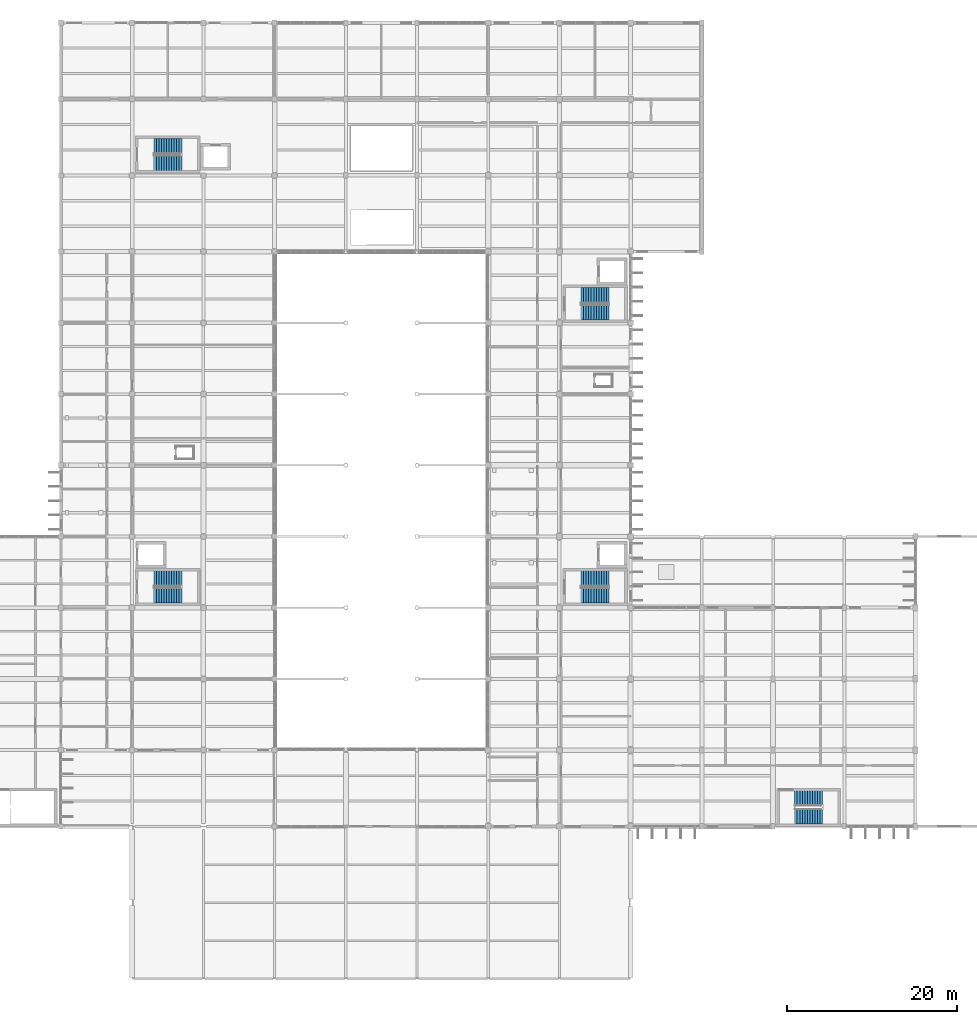
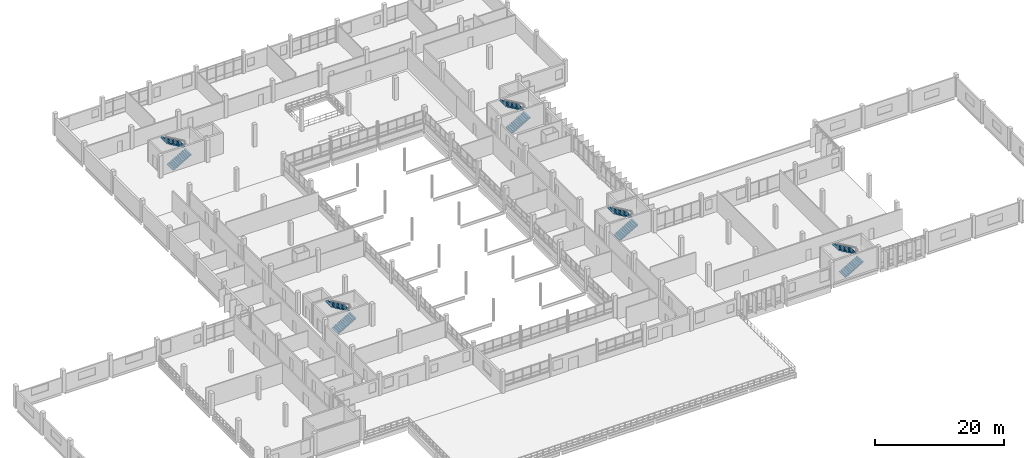
# One storey, part 92 of 101: 10 stair flights, 5 elements without a shape of their own.
"""IFC4 building model written with IfcOpenShell, lengths in metres."""

from ifc_helpers import new_model, si_unit, direction, frame, origin, place, context, subcontext, project, spatial, polyline, outline, extrude, material, type_object, element, aggregate, save


model = new_model("IFC4")

# Units and contexts
model_context = context("Model", 3, precision=1e-05, world=origin(), true_north=direction((0.0, 1.0)))
body_context = subcontext(model_context, "Body", "Model", "MODEL_VIEW")
ifc_project = project(units=[si_unit("LENGTHUNIT", "METRE"), si_unit("AREAUNIT", "SQUARE_METRE"), si_unit("VOLUMEUNIT", "CUBIC_METRE"), si_unit("PLANEANGLEUNIT", "RADIAN"), si_unit("MASSUNIT", "GRAM", prefix="KILO")], contexts=[model_context])

# Site, building, storey
site_placement = place(None, origin())
site = spatial("IfcSite", under=ifc_project, at=site_placement, CompositionType="ELEMENT")
building_placement = place(site_placement, origin())
building = spatial("IfcBuilding", under=site, at=building_placement, Name="Vireocrest Preparatory School", CompositionType="ELEMENT")
storey_placement = place(building_placement, frame((0.0, 0.0, 4.800048828125)))
storey = spatial("IfcBuildingStorey", under=building, at=storey_placement, Name="L01", CompositionType="ELEMENT", Elevation=4.800048828125)

# Stair, stair flights
ifc_material = material(Name="Concrete 40 MPa", Category="concrete")
stair_type = type_object("IfcStairType", Name="Feature Library Stair 4200 Rise 1800 Wide", PredefinedType="HALF_TURN_STAIR", material=ifc_material)
stair_1_placement = place(storey_placement, origin())
stair_1 = element("IfcStair", 1, at=stair_1_placement, inside=storey, type_object=stair_type, Name="Two-Run Stair ST1-L01", PredefinedType="HALF_TURN_STAIR")
stair_flight_type = type_object("IfcStairFlightType", Name="Stair Flight 2100 Rise 1800 Wide", PredefinedType="STRAIGHT", material=ifc_material)
stair_flight_1_placement = place(storey_placement, frame((52.949951171875, 45.2548828125, 0.0), z_axis=(0.0, 0.0, 1.0), x_axis=(1.0, 0.0, 0.0)))
stair_flight_1 = element("IfcStairFlight", 2, at=stair_flight_1_placement, type_object=stair_flight_type, Name="Stair Flight ST1-L01-F1", NumberOfRisers=12, NumberOfTreads=11, PredefinedType="STRAIGHT", RiserHeight=0.175, TreadLength=0.3, context=body_context, shape_type="SweptSolid", body=[
    extrude(outline(polyline([(0.0, 0.0), (0.0, 0.175048828125), (0.300048828125, 0.175048828125), (0.300048828125, 0.35009765625), (0.60009765625, 0.35009765625), (0.60009765625, 0.52490234375), (0.89990234375, 0.52490234375), (0.89990234375, 0.699951171875), (1.199951171875, 0.699951171875), (1.199951171875, 0.875), (1.5, 0.875), (1.5, 1.050048828125), (1.800048828125, 1.050048828125), (1.800048828125, 1.22509765625), (2.10009765625, 1.22509765625), (2.10009765625, 1.39990234375), (2.39990234375, 1.39990234375), (2.39990234375, 1.574951171875), (2.699951171875, 1.574951171875), (2.699951171875, 1.75), (3.0, 1.75), (3.0, 1.925048828125), (3.300048828125, 1.925048828125), (3.300048828125, 2.10009765625), (3.300048828125, 1.739990234375), (0.3173828125, 0.0), (0.0, 0.0)])), frame((0.0, 0.925048828125, 0.0), z_axis=(0.0, -1.0, 0.0), x_axis=(1.0, 0.0, 0.0)), (0.0, 0.0, 1.0), 1.85009765625),
])
stair_flight_2_placement = place(storey_placement, frame((56.25, 47.2451171875, 2.099853515625), z_axis=(0.0, 0.0, 1.0), x_axis=(-1.0, 0.0, 0.0)))
stair_flight_2 = element("IfcStairFlight", 3, at=stair_flight_2_placement, type_object=stair_flight_type, Name="Stair Flight ST1-L01-F2", NumberOfRisers=12, NumberOfTreads=11, PredefinedType="STRAIGHT", RiserHeight=0.175, TreadLength=0.3, context=body_context, shape_type="SweptSolid", body=[
    extrude(outline(polyline([(0.0, 0.0), (0.0, 0.175048828125), (0.300048828125, 0.175048828125), (0.300048828125, 0.35009765625), (0.60009765625, 0.35009765625), (0.60009765625, 0.52490234375), (0.89990234375, 0.52490234375), (0.89990234375, 0.699951171875), (1.199951171875, 0.699951171875), (1.199951171875, 0.875), (1.5, 0.875), (1.5, 1.050048828125), (1.800048828125, 1.050048828125), (1.800048828125, 1.22509765625), (2.10009765625, 1.22509765625), (2.10009765625, 1.39990234375), (2.39990234375, 1.39990234375), (2.39990234375, 1.574951171875), (2.699951171875, 1.574951171875), (2.699951171875, 1.75), (3.0, 1.75), (3.0, 1.925048828125), (3.300048828125, 1.925048828125), (3.300048828125, 2.10009765625), (3.300048828125, 1.739990234375), (0.3173828125, 0.0), (0.0, 0.0)])), frame((0.0, 0.925048828125, 0.0), z_axis=(0.0, -1.0, 0.0), x_axis=(1.0, 0.0, 0.0)), (0.0, 0.0, 1.0), 1.85009765625),
])
aggregate(stair_1, [stair_flight_1, stair_flight_2])

stair_2_placement = place(storey_placement, origin())
stair_2 = element("IfcStair", 4, at=stair_2_placement, inside=storey, type_object=stair_type, Name="Two-Run Stair ST2-L01", PredefinedType="HALF_TURN_STAIR")
stair_flight_3_placement = place(storey_placement, frame((103.35009765625, 45.2548828125, 0.0), z_axis=(0.0, 0.0, 1.0), x_axis=(1.0, 0.0, 0.0)))
stair_flight_3 = element("IfcStairFlight", 5, at=stair_flight_3_placement, type_object=stair_flight_type, Name="Stair Flight ST2-L01-F1", NumberOfRisers=12, NumberOfTreads=11, PredefinedType="STRAIGHT", RiserHeight=0.175, TreadLength=0.3, context=body_context, shape_type="SweptSolid", body=[
    extrude(outline(polyline([(0.0, 0.0), (0.0, 0.175048828125), (0.300048828125, 0.175048828125), (0.300048828125, 0.35009765625), (0.60009765625, 0.35009765625), (0.60009765625, 0.52490234375), (0.89990234375, 0.52490234375), (0.89990234375, 0.699951171875), (1.199951171875, 0.699951171875), (1.199951171875, 0.875), (1.5, 0.875), (1.5, 1.050048828125), (1.800048828125, 1.050048828125), (1.800048828125, 1.22509765625), (2.10009765625, 1.22509765625), (2.10009765625, 1.39990234375), (2.39990234375, 1.39990234375), (2.39990234375, 1.574951171875), (2.699951171875, 1.574951171875), (2.699951171875, 1.75), (3.0, 1.75), (3.0, 1.925048828125), (3.300048828125, 1.925048828125), (3.300048828125, 2.10009765625), (3.300048828125, 1.739990234375), (0.3173828125, 0.0), (0.0, 0.0)])), frame((0.0, 0.925048828125, 0.0), z_axis=(0.0, -1.0, 0.0), x_axis=(1.0, 0.0, 0.0)), (0.0, 0.0, 1.0), 1.85009765625),
])
stair_flight_4_placement = place(storey_placement, frame((106.64990234375, 47.2451171875, 2.099853515625), z_axis=(0.0, 0.0, 1.0), x_axis=(-1.0, 0.0, 0.0)))
stair_flight_4 = element("IfcStairFlight", 6, at=stair_flight_4_placement, type_object=stair_flight_type, Name="Stair Flight ST2-L01-F2", NumberOfRisers=12, NumberOfTreads=11, PredefinedType="STRAIGHT", RiserHeight=0.175, TreadLength=0.3, context=body_context, shape_type="SweptSolid", body=[
    extrude(outline(polyline([(0.0, 0.0), (0.0, 0.175048828125), (0.300048828125, 0.175048828125), (0.300048828125, 0.35009765625), (0.60009765625, 0.35009765625), (0.60009765625, 0.52490234375), (0.89990234375, 0.52490234375), (0.89990234375, 0.699951171875), (1.199951171875, 0.699951171875), (1.199951171875, 0.875), (1.5, 0.875), (1.5, 1.050048828125), (1.800048828125, 1.050048828125), (1.800048828125, 1.22509765625), (2.10009765625, 1.22509765625), (2.10009765625, 1.39990234375), (2.39990234375, 1.39990234375), (2.39990234375, 1.574951171875), (2.699951171875, 1.574951171875), (2.699951171875, 1.75), (3.0, 1.75), (3.0, 1.925048828125), (3.300048828125, 1.925048828125), (3.300048828125, 2.10009765625), (3.300048828125, 1.739990234375), (0.3173828125, 0.0), (0.0, 0.0)])), frame((0.0, 0.925048828125, 0.0), z_axis=(0.0, -1.0, 0.0), x_axis=(1.0, 0.0, 0.0)), (0.0, 0.0, 1.0), 1.85009765625),
])
aggregate(stair_2, [stair_flight_3, stair_flight_4])

stair_3_placement = place(storey_placement, origin())
stair_3 = element("IfcStair", 7, at=stair_3_placement, inside=storey, type_object=stair_type, Name="Two-Run Stair ST3-L01", PredefinedType="HALF_TURN_STAIR")
stair_flight_5_placement = place(storey_placement, frame((52.949951171875, 96.2548828125, 0.0), z_axis=(0.0, 0.0, 1.0), x_axis=(1.0, 0.0, 0.0)))
stair_flight_5 = element("IfcStairFlight", 8, at=stair_flight_5_placement, type_object=stair_flight_type, Name="Stair Flight ST3-L01-F1", NumberOfRisers=12, NumberOfTreads=11, PredefinedType="STRAIGHT", RiserHeight=0.175, TreadLength=0.3, context=body_context, shape_type="SweptSolid", body=[
    extrude(outline(polyline([(0.0, 0.0), (0.0, 0.175048828125), (0.300048828125, 0.175048828125), (0.300048828125, 0.35009765625), (0.60009765625, 0.35009765625), (0.60009765625, 0.52490234375), (0.89990234375, 0.52490234375), (0.89990234375, 0.699951171875), (1.199951171875, 0.699951171875), (1.199951171875, 0.875), (1.5, 0.875), (1.5, 1.050048828125), (1.800048828125, 1.050048828125), (1.800048828125, 1.22509765625), (2.10009765625, 1.22509765625), (2.10009765625, 1.39990234375), (2.39990234375, 1.39990234375), (2.39990234375, 1.574951171875), (2.699951171875, 1.574951171875), (2.699951171875, 1.75), (3.0, 1.75), (3.0, 1.925048828125), (3.300048828125, 1.925048828125), (3.300048828125, 2.10009765625), (3.300048828125, 1.739990234375), (0.3173828125, 0.0), (0.0, 0.0)])), frame((0.0, 0.925048828125, 0.0), z_axis=(0.0, -1.0, 0.0), x_axis=(1.0, 0.0, 0.0)), (0.0, 0.0, 1.0), 1.85009765625),
])
stair_flight_6_placement = place(storey_placement, frame((56.25, 98.2451171875, 2.099853515625), z_axis=(0.0, 0.0, 1.0), x_axis=(-1.0, 0.0, 0.0)))
stair_flight_6 = element("IfcStairFlight", 9, at=stair_flight_6_placement, type_object=stair_flight_type, Name="Stair Flight ST3-L01-F2", NumberOfRisers=12, NumberOfTreads=11, PredefinedType="STRAIGHT", RiserHeight=0.175, TreadLength=0.3, context=body_context, shape_type="SweptSolid", body=[
    extrude(outline(polyline([(0.0, 0.0), (0.0, 0.175048828125), (0.300048828125, 0.175048828125), (0.300048828125, 0.35009765625), (0.60009765625, 0.35009765625), (0.60009765625, 0.52490234375), (0.89990234375, 0.52490234375), (0.89990234375, 0.699951171875), (1.199951171875, 0.699951171875), (1.199951171875, 0.875), (1.5, 0.875), (1.5, 1.050048828125), (1.800048828125, 1.050048828125), (1.800048828125, 1.22509765625), (2.10009765625, 1.22509765625), (2.10009765625, 1.39990234375), (2.39990234375, 1.39990234375), (2.39990234375, 1.574951171875), (2.699951171875, 1.574951171875), (2.699951171875, 1.75), (3.0, 1.75), (3.0, 1.925048828125), (3.300048828125, 1.925048828125), (3.300048828125, 2.10009765625), (3.300048828125, 1.739990234375), (0.3173828125, 0.0), (0.0, 0.0)])), frame((0.0, 0.925048828125, 0.0), z_axis=(0.0, -1.0, 0.0), x_axis=(1.0, 0.0, 0.0)), (0.0, 0.0, 1.0), 1.85009765625),
])
aggregate(stair_3, [stair_flight_5, stair_flight_6])

stair_4_placement = place(storey_placement, origin())
stair_4 = element("IfcStair", 10, at=stair_4_placement, inside=storey, type_object=stair_type, Name="Two-Run Stair ST4-L01", PredefinedType="HALF_TURN_STAIR")
stair_flight_7_placement = place(storey_placement, frame((103.35009765625, 78.655029296875, 0.0), z_axis=(0.0, 0.0, 1.0), x_axis=(1.0, 0.0, 0.0)))
stair_flight_7 = element("IfcStairFlight", 11, at=stair_flight_7_placement, type_object=stair_flight_type, Name="Stair Flight ST4-L01-F1", NumberOfRisers=12, NumberOfTreads=11, PredefinedType="STRAIGHT", RiserHeight=0.175, TreadLength=0.3, context=body_context, shape_type="SweptSolid", body=[
    extrude(outline(polyline([(0.0, 0.0), (0.0, 0.175048828125), (0.300048828125, 0.175048828125), (0.300048828125, 0.35009765625), (0.60009765625, 0.35009765625), (0.60009765625, 0.52490234375), (0.89990234375, 0.52490234375), (0.89990234375, 0.699951171875), (1.199951171875, 0.699951171875), (1.199951171875, 0.875), (1.5, 0.875), (1.5, 1.050048828125), (1.800048828125, 1.050048828125), (1.800048828125, 1.22509765625), (2.10009765625, 1.22509765625), (2.10009765625, 1.39990234375), (2.39990234375, 1.39990234375), (2.39990234375, 1.574951171875), (2.699951171875, 1.574951171875), (2.699951171875, 1.75), (3.0, 1.75), (3.0, 1.925048828125), (3.300048828125, 1.925048828125), (3.300048828125, 2.10009765625), (3.300048828125, 1.739990234375), (0.3173828125, 0.0), (0.0, 0.0)])), frame((0.0, 0.925048828125, 0.0), z_axis=(0.0, -1.0, 0.0), x_axis=(1.0, 0.0, 0.0)), (0.0, 0.0, 1.0), 1.85009765625),
])
stair_flight_8_placement = place(storey_placement, frame((106.64990234375, 80.64501953125, 2.099853515625), z_axis=(0.0, 0.0, 1.0), x_axis=(-1.0, 0.0, 0.0)))
stair_flight_8 = element("IfcStairFlight", 12, at=stair_flight_8_placement, type_object=stair_flight_type, Name="Stair Flight ST4-L01-F2", NumberOfRisers=12, NumberOfTreads=11, PredefinedType="STRAIGHT", RiserHeight=0.175, TreadLength=0.3, context=body_context, shape_type="SweptSolid", body=[
    extrude(outline(polyline([(0.0, 0.0), (0.0, 0.175048828125), (0.300048828125, 0.175048828125), (0.300048828125, 0.35009765625), (0.60009765625, 0.35009765625), (0.60009765625, 0.52490234375), (0.89990234375, 0.52490234375), (0.89990234375, 0.699951171875), (1.199951171875, 0.699951171875), (1.199951171875, 0.875), (1.5, 0.875), (1.5, 1.050048828125), (1.800048828125, 1.050048828125), (1.800048828125, 1.22509765625), (2.10009765625, 1.22509765625), (2.10009765625, 1.39990234375), (2.39990234375, 1.39990234375), (2.39990234375, 1.574951171875), (2.699951171875, 1.574951171875), (2.699951171875, 1.75), (3.0, 1.75), (3.0, 1.925048828125), (3.300048828125, 1.925048828125), (3.300048828125, 2.10009765625), (3.300048828125, 1.739990234375), (0.3173828125, 0.0), (0.0, 0.0)])), frame((0.0, 0.925048828125, 0.0), z_axis=(0.0, -1.0, 0.0), x_axis=(1.0, 0.0, 0.0)), (0.0, 0.0, 1.0), 1.85009765625),
])
aggregate(stair_4, [stair_flight_7, stair_flight_8])

stair_5_placement = place(storey_placement, origin())
stair_5 = element("IfcStair", 13, at=stair_5_placement, inside=storey, type_object=stair_type, Name="Two-Run Stair ST6-L01", PredefinedType="HALF_TURN_STAIR")
stair_flight_9_placement = place(storey_placement, frame((128.550048828125, 19.179931640625, 0.0), z_axis=(0.0, 0.0, 1.0), x_axis=(1.0, 0.0, 0.0)))
stair_flight_9 = element("IfcStairFlight", 14, at=stair_flight_9_placement, type_object=stair_flight_type, Name="Stair Flight ST6-L01-F1", NumberOfRisers=12, NumberOfTreads=11, PredefinedType="STRAIGHT", RiserHeight=0.175, TreadLength=0.3, context=body_context, shape_type="SweptSolid", body=[
    extrude(outline(polyline([(0.0, 0.0), (0.0, 0.175048828125), (0.300048828125, 0.175048828125), (0.300048828125, 0.35009765625), (0.60009765625, 0.35009765625), (0.60009765625, 0.52490234375), (0.89990234375, 0.52490234375), (0.89990234375, 0.699951171875), (1.199951171875, 0.699951171875), (1.199951171875, 0.875), (1.5, 0.875), (1.5, 1.050048828125), (1.800048828125, 1.050048828125), (1.800048828125, 1.22509765625), (2.10009765625, 1.22509765625), (2.10009765625, 1.39990234375), (2.39990234375, 1.39990234375), (2.39990234375, 1.574951171875), (2.699951171875, 1.574951171875), (2.699951171875, 1.75), (3.0, 1.75), (3.0, 1.925048828125), (3.300048828125, 1.925048828125), (3.300048828125, 2.10009765625), (3.300048828125, 1.739990234375), (0.3173828125, 0.0), (0.0, 0.0)])), frame((0.0, 0.89990234375, 0.0), z_axis=(0.0, -1.0, 0.0), x_axis=(1.0, 0.0, 0.0)), (0.0, 0.0, 1.0), 1.800048828125),
])
stair_flight_10_placement = place(storey_placement, frame((131.85009765625, 21.320068359375, 2.099853515625), z_axis=(0.0, 0.0, 1.0), x_axis=(-1.0, 0.0, 0.0)))
stair_flight_10 = element("IfcStairFlight", 15, at=stair_flight_10_placement, type_object=stair_flight_type, Name="Stair Flight ST6-L01-F2", NumberOfRisers=12, NumberOfTreads=11, PredefinedType="STRAIGHT", RiserHeight=0.175, TreadLength=0.3, context=body_context, shape_type="SweptSolid", body=[
    extrude(outline(polyline([(0.0, 0.0), (0.0, 0.175048828125), (0.300048828125, 0.175048828125), (0.300048828125, 0.35009765625), (0.60009765625, 0.35009765625), (0.60009765625, 0.52490234375), (0.89990234375, 0.52490234375), (0.89990234375, 0.699951171875), (1.199951171875, 0.699951171875), (1.199951171875, 0.875), (1.5, 0.875), (1.5, 1.050048828125), (1.800048828125, 1.050048828125), (1.800048828125, 1.22509765625), (2.10009765625, 1.22509765625), (2.10009765625, 1.39990234375), (2.39990234375, 1.39990234375), (2.39990234375, 1.574951171875), (2.699951171875, 1.574951171875), (2.699951171875, 1.75), (3.0, 1.75), (3.0, 1.925048828125), (3.300048828125, 1.925048828125), (3.300048828125, 2.10009765625), (3.300048828125, 1.739990234375), (0.3173828125, 0.0), (0.0, 0.0)])), frame((0.0, 0.89990234375, 0.0), z_axis=(0.0, -1.0, 0.0), x_axis=(1.0, 0.0, 0.0)), (0.0, 0.0, 1.0), 1.800048828125),
])
aggregate(stair_5, [stair_flight_9, stair_flight_10])

save(model, "model.ifc")
